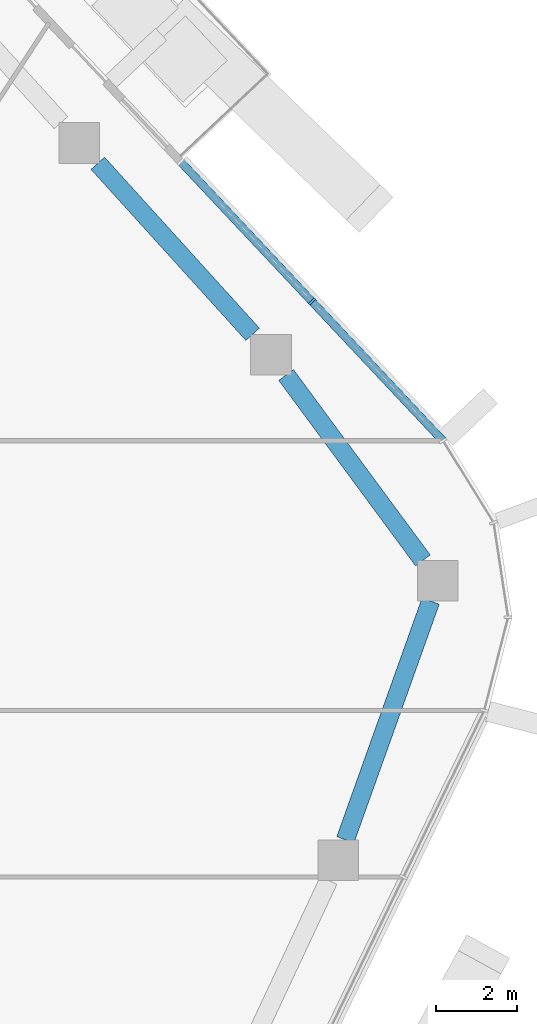
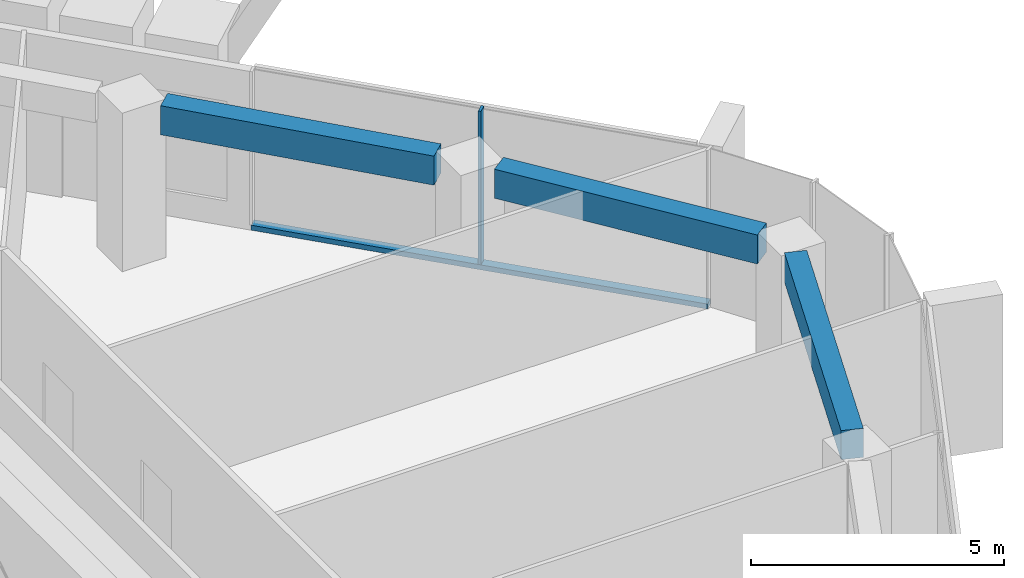
# One storey, part 8 of 24: 3 beams, 2 members, 1 element without a shape of its own.
"""IFC4 building model written with IfcOpenShell, lengths in metres."""

from ifc_helpers import new_model, si_unit, direction, frame, origin, origin_2d, place, context, subcontext, project, spatial, rectangle, extrude, material, layer, layer_set, material_profile, profile_set, type_object, element, aggregate, save


model = new_model("IFC4")

# Units and contexts
model_context = context("Model", 3, precision=1e-05, world=origin(), true_north=direction((0.0, 1.0)))
body_context = subcontext(model_context, "Body", "Model", "MODEL_VIEW")
ifc_project = project(units=[si_unit("LENGTHUNIT", "METRE"), si_unit("AREAUNIT", "SQUARE_METRE"), si_unit("VOLUMEUNIT", "CUBIC_METRE"), si_unit("PLANEANGLEUNIT", "RADIAN"), si_unit("MASSUNIT", "GRAM", prefix="KILO")], contexts=[model_context])

# Site, building, storey
site_placement = place(None, origin())
site = spatial("IfcSite", under=ifc_project, at=site_placement, CompositionType="ELEMENT")
building_placement = place(site_placement, origin())
building = spatial("IfcBuilding", under=site, at=building_placement, Name="Dongbaek Canopy Tower", CompositionType="ELEMENT")
storey_placement = place(building_placement, frame((0.0, 0.0, 298.39990234375)))
storey = spatial("IfcBuildingStorey", under=building, at=storey_placement, Name="L63", CompositionType="ELEMENT", Elevation=298.39990234375)

# Curtain wall, members
ifc_material_1 = material(Name="Aluminium 6063-T6 pale anodised", Category="aluminium")
ifc_layer = layer(ifc_material_1, 0.199951171875)
ifc_layer_set = layer_set([ifc_layer], Name="CW-1 unitised tower curtain wall")
curtain_wall_type = type_object("IfcCurtainWallType", Name="CW-1 unitised tower curtain wall", PredefinedType="NOTDEFINED", material=ifc_layer_set)
curtain_wall_placement = place(storey_placement, origin())
curtain_wall = element("IfcCurtainWall", 1, at=curtain_wall_placement, inside=storey, type_object=curtain_wall_type, Name="CW-1 curtain wall F0.1", PredefinedType="NOTDEFINED")
ifc_material_2 = material(Name="Aluminium 6063-T6 pale anodised", Category="aluminium")
ifc_material_profile_1 = material_profile(ifc_material_2, rectangle(XDim=0.199951171875, YDim=0.06005859375, at=origin_2d()), Name="CW-1 mullion 60 x 200")
ifc_profile_set_1 = profile_set([ifc_material_profile_1], Name="Aluminium 6063-T6 pale anodised")
member_type_1 = type_object("IfcMemberType", Name="CW-1 mullion 60 x 200", PredefinedType="MULLION", material=ifc_profile_set_1)
member_1_placement = place(storey_placement, frame((27.709716796875, 13.56640625, 0.1201171875), z_axis=(0.0, 0.0, 1.0), x_axis=(0.728702280393, 0.684830626177, 0.0)))
member_1 = element("IfcMember", 2, at=member_1_placement, type_object=member_type_1, Name="CW-1 mullion F0.1.2", PredefinedType="MULLION", context=body_context, shape_type="SweptSolid", body=[
    extrude(rectangle(XDim=0.199951171875, YDim=0.06005859375, at=origin_2d()), origin(), (0.0, 0.0, 1.0), 3.699951171875),
])
ifc_material_3 = material(Name="Aluminium 6063-T6 pale anodised", Category="aluminium")
ifc_material_profile_2 = material_profile(ifc_material_3, rectangle(XDim=0.199951171875, YDim=0.1201171875, at=origin_2d()), Name="CW-1 transom 120 x 200")
ifc_profile_set_2 = profile_set([ifc_material_profile_2], Name="Aluminium 6063-T6 pale anodised")
member_type_2 = type_object("IfcMemberType", Name="CW-1 transom 120 x 200", PredefinedType="USERDEFINED", material=ifc_profile_set_2)
member_2_placement = place(storey_placement, frame((30.93017578125, 10.1396484375, 0.06005859375), z_axis=(-0.684841997746, 0.728691593285, 0.0), x_axis=(-0.728691593285, -0.684841997746, 0.0)))
member_2 = element("IfcMember", 3, at=member_2_placement, type_object=member_type_2, Name="CW-1 transom F0.1.1", ObjectType="TRANSOM", PredefinedType="USERDEFINED", context=body_context, shape_type="SweptSolid", body=[
    extrude(rectangle(XDim=0.199951171875, YDim=0.1201171875, at=origin_2d()), origin(), (0.0, 0.0, 1.0), 9.4150390625),
])
aggregate(curtain_wall, [member_1, member_2])

# Beams
ifc_material_4 = material(Name="Concrete C60", Category="concrete")
ifc_material_profile_3 = material_profile(ifc_material_4, rectangle(XDim=0.449951171875, YDim=0.699951171875, at=origin_2d()), Name="RC EDGE BEAM 450x700 C60")
ifc_profile_set_3 = profile_set([ifc_material_profile_3], Name="Concrete C60")
beam_type = type_object("IfcBeamType", Name="RC EDGE BEAM 450x700 C60", PredefinedType="BEAM", material=ifc_profile_set_3)
beam_1_placement = place(storey_placement, frame((22.442626953125, 16.9619140625, 3.47021484375), z_axis=(0.671227680473, -0.741251240112, 0.0), x_axis=(0.741251240112, 0.671227680473, 0.0)))
element("IfcBeam", 4, at=beam_1_placement, inside=storey, type_object=beam_type, Name="EDGEBEAM:L63:19", PredefinedType="BEAM", context=body_context, shape_type="SweptSolid", body=[
    extrude(rectangle(XDim=0.449951171875, YDim=0.699951171875, at=origin_2d()), origin(), (0.0, 0.0, 1.0), 5.672607421875),
])
beam_2_placement = place(storey_placement, frame((27.072021484375, 11.757080078125, 3.47021484375), z_axis=(0.593735402363, -0.804660345724, 0.0), x_axis=(0.804660345724, 0.593735402363, 0.0)))
element("IfcBeam", 5, at=beam_2_placement, inside=storey, type_object=beam_type, Name="EDGEBEAM:L63:20", PredefinedType="BEAM", context=body_context, shape_type="SweptSolid", body=[
    extrude(rectangle(XDim=0.449951171875, YDim=0.699951171875, at=origin_2d()), origin(), (0.0, 0.0, 1.0), 5.665771484375),
])
beam_3_placement = place(storey_placement, frame((30.626220703125, 6.197998046875, 3.47021484375), z_axis=(-0.336443121865, -0.941703788752, 0.0), x_axis=(0.941703788752, -0.336443121865, 0.0)))
element("IfcBeam", 6, at=beam_3_placement, inside=storey, type_object=beam_type, Name="EDGEBEAM:L63:21", PredefinedType="BEAM", context=body_context, shape_type="SweptSolid", body=[
    extrude(rectangle(XDim=0.449951171875, YDim=0.699951171875, at=origin_2d()), origin(), (0.0, 0.0, 1.0), 6.231201171875),
])

save(model, "model.ifc")
